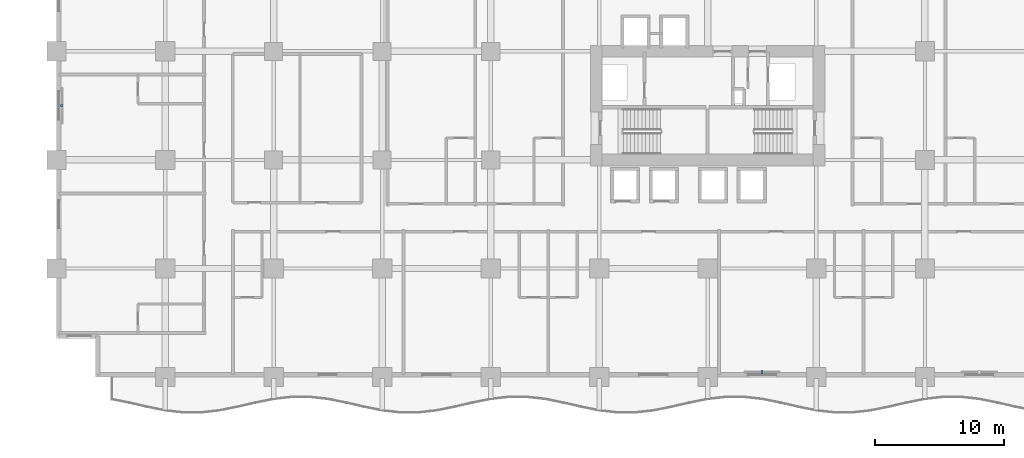
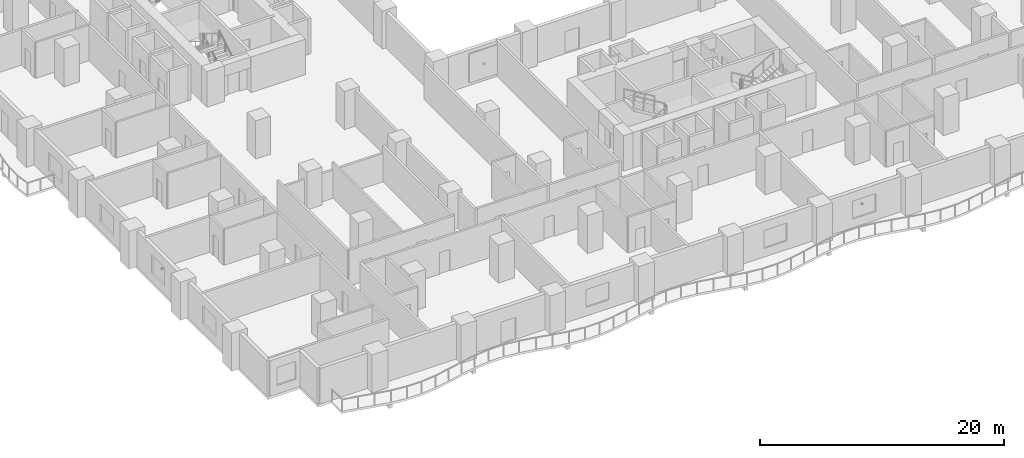
# One storey, part 15 of 22: 2 discrete accessories.
"""IFC4 building model written with IfcOpenShell, lengths in metres."""

from ifc_helpers import new_model, si_unit, direction, frame, origin, origin_2d, place, context, subcontext, project, spatial, rectangle, extrude, material, type_object, element, save


model = new_model("IFC4")

# Units and contexts
model_context = context("Model", 3, precision=1e-05, world=origin(), true_north=direction((0.0, 1.0)))
body_context = subcontext(model_context, "Body", "Model", "MODEL_VIEW")
ifc_project = project(units=[si_unit("LENGTHUNIT", "METRE"), si_unit("AREAUNIT", "SQUARE_METRE"), si_unit("VOLUMEUNIT", "CUBIC_METRE"), si_unit("PLANEANGLEUNIT", "RADIAN"), si_unit("MASSUNIT", "GRAM", prefix="KILO")], contexts=[model_context])

# Site, building, storey
site_placement = place(None, origin())
site = spatial("IfcSite", under=ifc_project, at=site_placement, CompositionType="ELEMENT")
building_placement = place(site_placement, origin())
building = spatial("IfcBuilding", under=site, at=building_placement, Name="Koriwani Terraces Tower", CompositionType="ELEMENT")
storey_placement = place(building_placement, frame((0.0, 0.0, 43.39990234375)))
storey = spatial("IfcBuildingStorey", under=building, at=storey_placement, Name="L09", CompositionType="ELEMENT", Elevation=43.39990234375)

# Discrete accessories
ifc_material = material(Name="Steel ASTM A572 Grade 50", Category="steel")
discrete_accessory_type = type_object("IfcDiscreteAccessoryType", Name="BAGUETTE_STANDOFF_BRACKET", PredefinedType="BRACKET", material=ifc_material)
for number, where, z_axis, x_axis, name in (
    (1, (0.389892578125, 21.0, 1.68505859375), (0.0, 0.0, 1.0), (0.0, 1.0, 0.0), "L09 Terracotta Baguette Bracket (W-6)"),
    (2, (54.60009765625, 0.389892578125, 1.68505859375), (0.0, 0.0, 1.0), (-1.0, 0.0, 0.0), "L09 Terracotta Baguette Bracket (S-18)"),
):
    element("IfcDiscreteAccessory", number, at=place(storey_placement, frame(where, z_axis=z_axis, x_axis=x_axis)), inside=storey, type_object=discrete_accessory_type, Name=name, PredefinedType="BRACKET", context=body_context, shape_type="SweptSolid", body=[
        extrude(rectangle(XDim=0.159912109375, YDim=0.199951171875, at=origin_2d()), origin(), (0.0, 0.0, 1.0), 0.179931640625),
    ])

save(model, "model.ifc")
